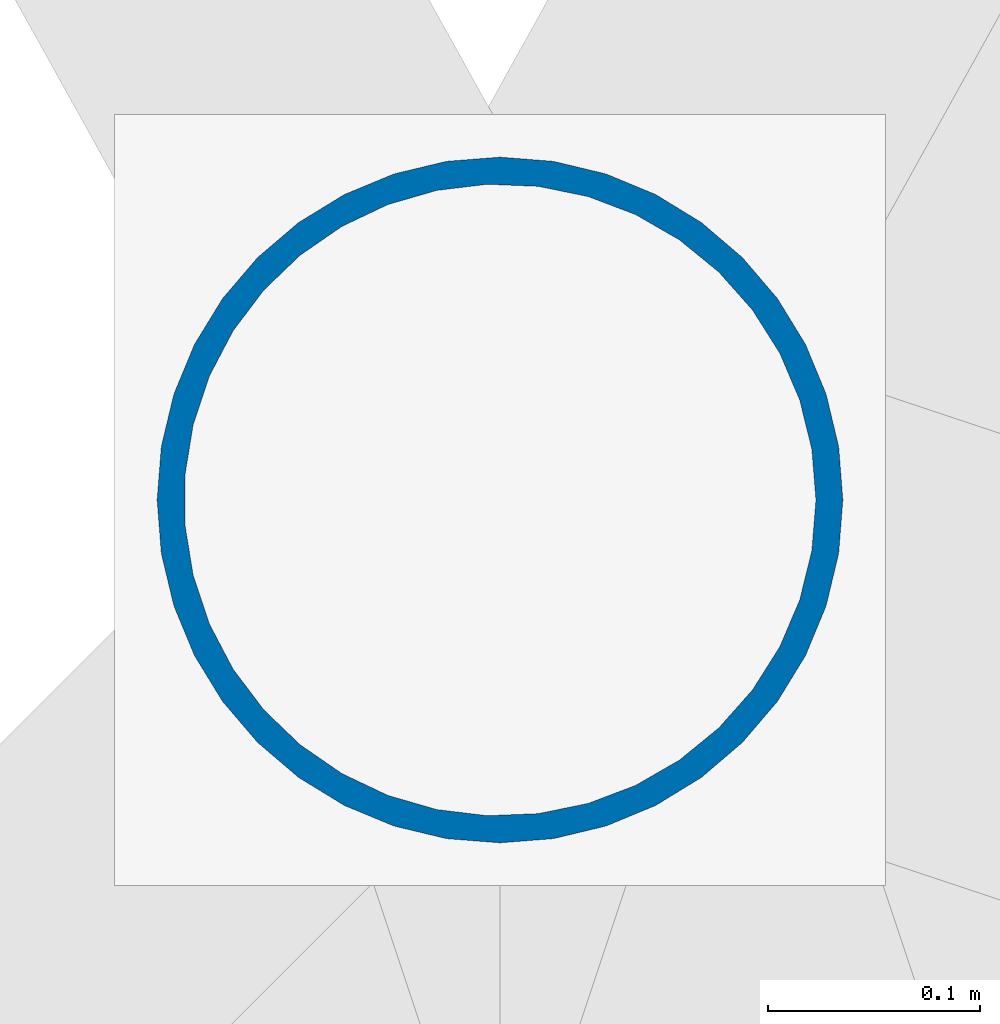
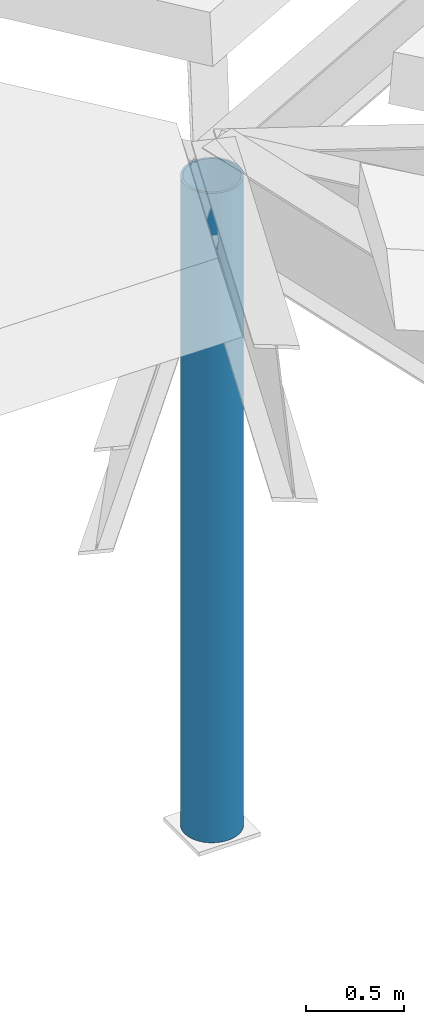
# One storey, part 8 of 128: 1 column.
"""IFC4 building model written with IfcOpenShell, lengths in metres."""

import ifcopenshell
import ifcopenshell.guid

model = None  # the IFC model being written
_history = None  # IfcOwnerHistory: only IFC2X3 demands one
_inside = {}  # id of a spatial element -> (the spatial element, [elements in it])
_under = {}  # id of a project, library or spatial element -> (it, [spatial elements below it])
_declared = {}  # id of a project -> (the project, [libraries it declares])
_typed = {}  # id of a type object -> (the type object, [elements of that type])
_made_of = {}  # id of a material, layer set ... -> (it, [elements and type objects made of it])


def new_model(schema):
    """Start an empty IFC model of exactly this schema.

    Asked for "IFC4X3", IfcOpenShell would pick the latest addendum, in which some entities
    have other attributes; the version numbers below select the first issue.
    IFC2X3 requires an IfcOwnerHistory on every rooted entity: one is made here for all.
    """
    global model, _history
    if schema == "IFC4X3":
        model = ifcopenshell.file(schema_version=(4, 3, 0, 0))
    else:
        model = ifcopenshell.file(schema=schema)
    _inside.clear()
    _under.clear()
    _declared.clear()
    _typed.clear()
    _made_of.clear()
    _history = None
    if model.schema == "IFC2X3":
        org = make("IfcOrganization", Name="unknown")
        user = make(
            "IfcPersonAndOrganization",
            ThePerson=make("IfcPerson", FamilyName="unknown"),
            TheOrganization=org,
        )
        app = make(
            "IfcApplication",
            ApplicationDeveloper=org,
            Version="unknown",
            ApplicationFullName="unknown",
            ApplicationIdentifier="unknown",
        )
        _history = make(
            "IfcOwnerHistory",
            OwningUser=user,
            OwningApplication=app,
            ChangeAction="ADDED",
            CreationDate=0,
        )
    return model


def make(cls, **values):
    """One entity of the class cls with the attributes given. An attribute that is None is left unset."""
    return model.create_entity(
        cls, **{name: value for name, value in values.items() if value is not None}
    )


def rooted(cls, **values):
    """An entity with a GlobalId (a new one), such as an element, a storey or a relation."""
    return make(cls, GlobalId=ifcopenshell.guid.new(), OwnerHistory=_history, **values)


def si_unit(unit_type, name, prefix=None):
    """IfcSIUnit, for example si_unit("LENGTHUNIT", "METRE", prefix="MILLI")."""
    return make("IfcSIUnit", UnitType=unit_type, Prefix=prefix, Name=name)


def assignment(units):
    """IfcUnitAssignment: the units of a project."""
    return None if units is None else make("IfcUnitAssignment", Units=units)


def point(xyz):
    """IfcCartesianPoint."""
    return None if xyz is None else make("IfcCartesianPoint", Coordinates=xyz)


def direction(xyz):
    """IfcDirection."""
    return None if xyz is None else make("IfcDirection", DirectionRatios=xyz)


def frame(location, z_axis=None, x_axis=None):
    """IfcAxis2Placement3D, a coordinate frame: its origin and axes. An axis left out is left unset."""
    return make(
        "IfcAxis2Placement3D",
        Location=point(location),
        Axis=direction(z_axis),
        RefDirection=direction(x_axis),
    )


def frame_2d(location, x_axis=None):
    """IfcAxis2Placement2D, a coordinate frame in the plane: its origin and x axis."""
    return make(
        "IfcAxis2Placement2D", Location=point(location), RefDirection=direction(x_axis)
    )


def origin():
    """The frame at (0, 0, 0) with its axes left unset."""
    return frame((0.0, 0.0, 0.0))


def origin_2d():
    """The frame at (0, 0) in the plane with its x axis left unset."""
    return frame_2d((0.0, 0.0))


def place(relative_to, where):
    """IfcLocalPlacement: puts the frame where relative to a parent placement (None: the world)."""
    return make(
        "IfcLocalPlacement", PlacementRelTo=relative_to, RelativePlacement=where
    )


def context(
    kind, dimensions, precision=None, world=None, true_north=None, identifier=None
):
    """IfcGeometricRepresentationContext, for example the 3D "Model" context."""
    return make(
        "IfcGeometricRepresentationContext",
        ContextIdentifier=identifier,
        ContextType=kind,
        CoordinateSpaceDimension=dimensions,
        Precision=precision,
        WorldCoordinateSystem=world,
        TrueNorth=true_north,
    )


def subcontext(parent, identifier, kind, view, scale=None):
    """IfcGeometricRepresentationSubContext, for example "Body" below "Model"."""
    return make(
        "IfcGeometricRepresentationSubContext",
        ContextIdentifier=identifier,
        ContextType=kind,
        ParentContext=parent,
        TargetScale=scale,
        TargetView=view,
    )


def project(units=None, contexts=None):
    """IfcProject with its units and contexts."""
    return rooted(
        "IfcProject",
        Name="project",
        RepresentationContexts=contexts,
        UnitsInContext=assignment(units),
    )


def spatial(cls, under=None, at=None, **own):
    """A site, building, storey or space (cls), placed at a placement, below another one or the project."""
    s = rooted(cls, ObjectPlacement=at, **own)
    if under is not None:
        _under.setdefault(under.id(), (under, []))[1].append(s)
    return s


def profile(cls, at=None, kind="AREA", **sizes):
    """A parametric profile (cls). Its sizes go by their IFC names, for example OverallWidth=200.0."""
    return make(cls, ProfileType=kind, Position=at, **sizes)


def hollow_circle(**sizes):
    """IfcCircleHollowProfileDef."""
    return profile("IfcCircleHollowProfileDef", **sizes)


def extrude(swept, where, along, depth):
    """IfcExtrudedAreaSolid: the profile swept, set in the frame where, extruded along a direction by depth."""
    return make(
        "IfcExtrudedAreaSolid",
        SweptArea=swept,
        Position=where,
        ExtrudedDirection=direction(along),
        Depth=depth,
    )


def shape(context_of_items, identifier, shape_type, items):
    """IfcShapeRepresentation: the items that make up one representation, for example the "Body"."""
    return make(
        "IfcShapeRepresentation",
        ContextOfItems=context_of_items,
        RepresentationIdentifier=identifier,
        RepresentationType=shape_type,
        Items=items,
    )


def material(Name=None, Category=None):
    """IfcMaterial."""
    return make("IfcMaterial", Name=Name, Category=Category)


def material_profile(
    of_material, cross_section, Name=None, Category=None, Priority=None
):
    """IfcMaterialProfile: a cross section and its material."""
    return make(
        "IfcMaterialProfile",
        Name=Name,
        Material=of_material,
        Profile=cross_section,
        Priority=Priority,
        Category=Category,
    )


def profile_set(profiles, Name=None, composite=None):
    """IfcMaterialProfileSet."""
    return make(
        "IfcMaterialProfileSet",
        Name=Name,
        MaterialProfiles=profiles,
        CompositeProfile=composite,
    )


def made_of(thing, what):
    """Note that an element or type object is made of a material, layer set ...; save() writes the relation."""
    if what is not None:
        _made_of.setdefault(what.id(), (what, []))[1].append(thing)
    return thing


def type_object(cls, material=None, **own):
    """A type object (cls), such as IfcWallType, which elements share."""
    return made_of(rooted(cls, **own), material)


def element(
    cls,
    number,
    at=None,
    inside=None,
    cuts=None,
    type_object=None,
    material=None,
    context=None,
    identifier="Body",
    shape_type=None,
    held_by="IfcProductDefinitionShape",
    body=None,
    shapes=None,
    **own,
):
    """One element of the class cls, such as IfcWall. Its Tag is "e" and its number.

    at: its placement. inside: the storey or other place that contains it. cuts: it is an
    opening in that element (IfcRelVoidsElement). A single representation is given by context,
    identifier, shape_type and body (its items); several are given by shapes. held_by: the class
    of the entity that holds the representations. save() writes the other relations.
    """
    e = rooted(cls, Tag="e%d" % number, ObjectPlacement=at, **own)
    if body is not None:
        shapes = [shape(context, identifier, shape_type, body)]
    if shapes is not None:
        e.Representation = make(held_by, Representations=shapes)
    if inside is not None:
        _inside.setdefault(inside.id(), (inside, []))[1].append(e)
    if cuts is not None:
        rooted(
            "IfcRelVoidsElement", RelatingBuildingElement=cuts, RelatedOpeningElement=e
        )
    if type_object is not None:
        _typed.setdefault(type_object.id(), (type_object, []))[1].append(e)
    return made_of(e, material)


def aggregate(whole, parts):
    """IfcRelAggregates: a whole, such as a stair, and the parts it consists of."""
    return rooted("IfcRelAggregates", RelatingObject=whole, RelatedObjects=parts)


def save(model, path):
    """Write the relations noted so far, then the file.

    IfcRelAggregates (storeys below a building ...), IfcRelContainedInSpatialStructure (elements
    in a storey), IfcRelDefinesByType, IfcRelAssociatesMaterial and IfcRelDeclares: one each for
    every whole, place, type object, material and project.
    """
    for whole, parts in _under.values():
        aggregate(whole, parts)
    for where, things in _inside.values():
        rooted(
            "IfcRelContainedInSpatialStructure",
            RelatedElements=things,
            RelatingStructure=where,
        )
    for kind, things in _typed.values():
        rooted("IfcRelDefinesByType", RelatedObjects=things, RelatingType=kind)
    for what, things in _made_of.values():
        rooted("IfcRelAssociatesMaterial", RelatedObjects=things, RelatingMaterial=what)
    for by, libraries in _declared.values():
        rooted("IfcRelDeclares", RelatingContext=by, RelatedDefinitions=libraries)
    model.write(path)


model = new_model("IFC4")

# Units and contexts
model_context = context("Model", 3, precision=1e-05, world=origin(), true_north=direction((0.0, 1.0)))
body_context = subcontext(model_context, "Body", "Model", "MODEL_VIEW")
ifc_project = project(units=[si_unit("LENGTHUNIT", "METRE"), si_unit("AREAUNIT", "SQUARE_METRE"), si_unit("VOLUMEUNIT", "CUBIC_METRE"), si_unit("PLANEANGLEUNIT", "RADIAN"), si_unit("MASSUNIT", "GRAM", prefix="KILO")], contexts=[model_context])

# Site, building, storey
site_placement = place(None, origin())
site = spatial("IfcSite", under=ifc_project, at=site_placement, CompositionType="ELEMENT")
building_placement = place(site_placement, origin())
building = spatial("IfcBuilding", under=site, at=building_placement, Name="Tarnwether General Hospital", CompositionType="ELEMENT")
storey_placement = place(building_placement, frame((0.0, 0.0, 14.39990234375)))
storey = spatial("IfcBuildingStorey", under=building, at=storey_placement, Name="L03", CompositionType="ELEMENT", Elevation=14.39990234375)

# Column
ifc_material = material(Name="Steel Grade C350L0 (350 MPa)", Category="steel")
ifc_material_profile = material_profile(ifc_material, hollow_circle(Radius=0.161865234375, WallThickness=0.0126953125, at=origin_2d()), Name="CHS323.9x12.7")
ifc_profile_set = profile_set([ifc_material_profile], Name="Steel Grade C350L0 (350 MPa)")
column_type = type_object("IfcColumnType", Name="COL-26", PredefinedType="COLUMN", material=ifc_profile_set)
column_placement = place(storey_placement, frame((12.0, 93.60009765625, 0.0), z_axis=(0.0, 0.0, 1.0), x_axis=(1.0, 0.0, 0.0)))
element("IfcColumn", 1, at=column_placement, inside=storey, type_object=column_type, Name="Origami Roof King Post Column COL-ORIG-KP-OR", PredefinedType="COLUMN", context=body_context, shape_type="SweptSolid", body=[
    extrude(hollow_circle(Radius=0.161865234375, WallThickness=0.0126953125, at=origin_2d()), origin(), (0.0, 0.0, 1.0), 4.050048828125),
])

save(model, "model.ifc")
